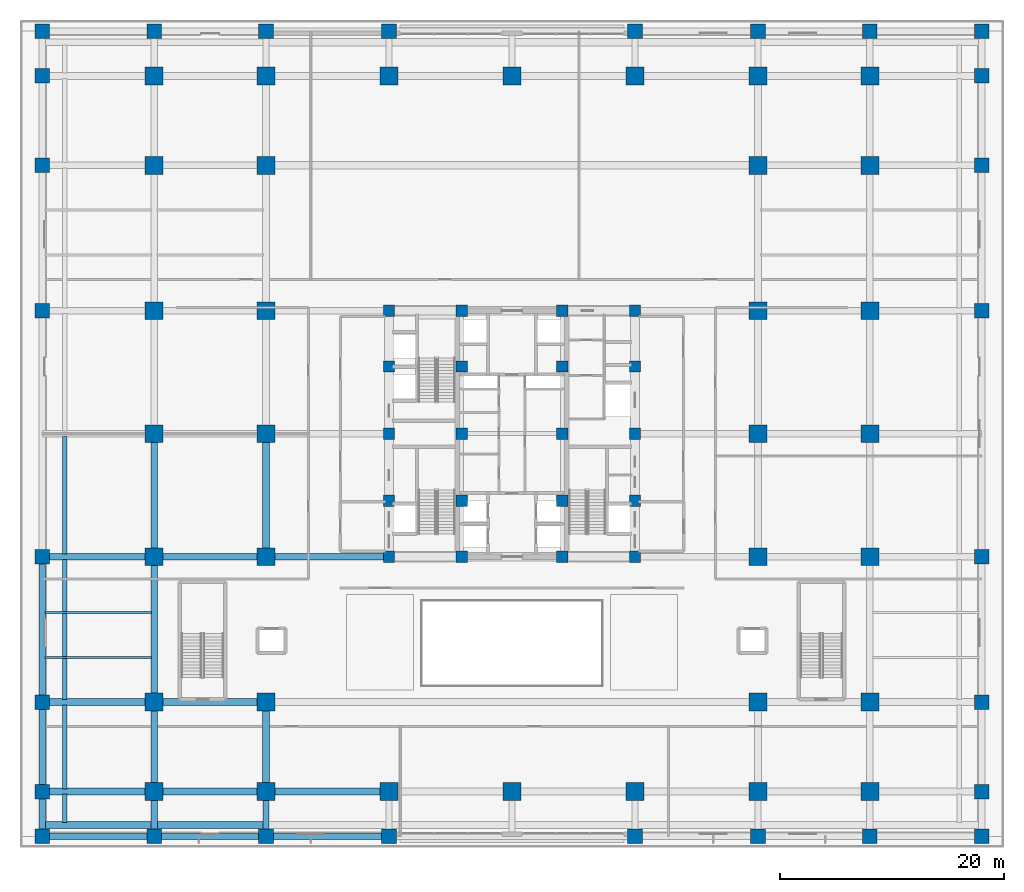
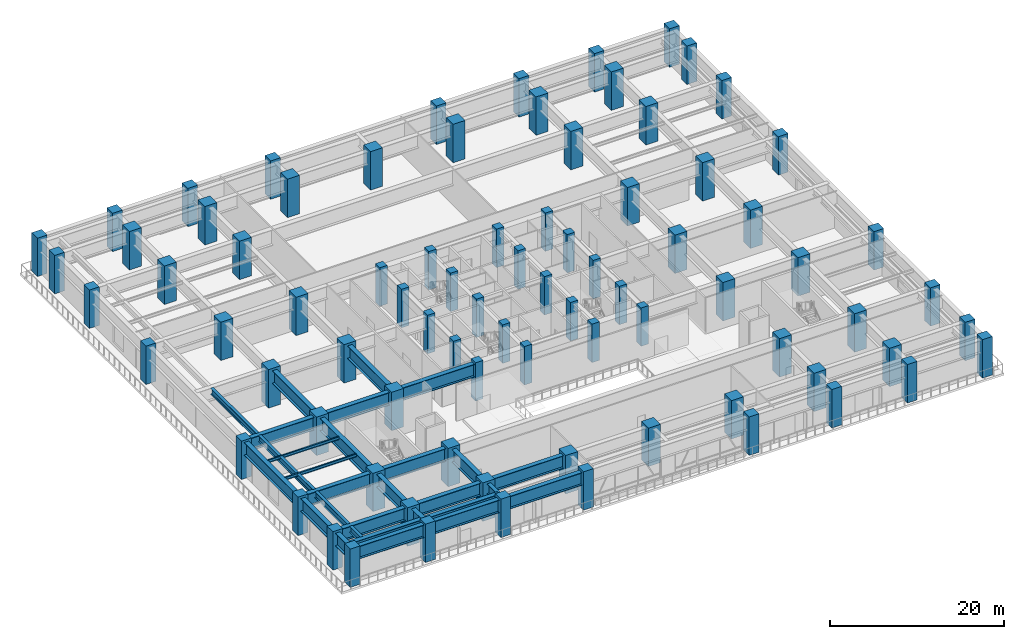
# One storey, part 1 of 28: 82 columns, 29 beams.
"""IFC4 building model written with IfcOpenShell, lengths in metres."""

from ifc_helpers import new_model, si_unit, direction, frame, origin, origin_2d, place, context, subcontext, project, spatial, rectangle, i_section, extrude, source, transform, mapped, material, material_profile, profile_set, type_object, element, save


model = new_model("IFC4")

# Units and contexts
model_context = context("Model", 3, precision=1e-05, world=origin(), true_north=direction((0.0, 1.0)))
body_context = subcontext(model_context, "Body", "Model", "MODEL_VIEW")
ifc_project = project(units=[si_unit("LENGTHUNIT", "METRE"), si_unit("AREAUNIT", "SQUARE_METRE"), si_unit("VOLUMEUNIT", "CUBIC_METRE"), si_unit("PLANEANGLEUNIT", "RADIAN"), si_unit("MASSUNIT", "GRAM", prefix="KILO")], contexts=[model_context])

# Site, building, storey
site_placement = place(None, origin())
site = spatial("IfcSite", under=ifc_project, at=site_placement, CompositionType="ELEMENT")
building_placement = place(site_placement, origin())
building = spatial("IfcBuilding", under=site, at=building_placement, Name="Khorayat Bourse Tower", CompositionType="ELEMENT")
storey_placement = place(building_placement, frame((0.0, 0.0, 12.0)))
storey = spatial("IfcBuildingStorey", under=building, at=storey_placement, Name="L02", CompositionType="ELEMENT", Elevation=12.0)

# Columns
ifc_material_1 = material(Name="Concrete C72/90", Category="concrete")
ifc_material_profile_1 = material_profile(ifc_material_1, rectangle(XDim=1.300048828125, YDim=1.300048828125, at=origin_2d()), Name="RC 1300x1300")
ifc_profile_set_1 = profile_set([ifc_material_profile_1], Name="Concrete C72/90")
column_type_1 = type_object("IfcColumnType", Name="COL-MEGA-1300", PredefinedType="COLUMN", material=ifc_profile_set_1)
shared_shape_1 = source(origin(), body_context, "Body", "SweptSolid", [
    extrude(rectangle(XDim=1.300048828125, YDim=1.300048828125, at=origin_2d()), origin(), (0.0, 0.0, 1.0), 5.39990234375),
])
for number, where, z_axis, x_axis, name in (
    (1, (-42.0, -36.0, 0.0), (0.0, 0.0, 1.0), (1.0, 0.0, 0.0), "L02 Column 001"),
    (2, (-42.0, -24.0, 0.0), (0.0, 0.0, 1.0), (1.0, 0.0, 0.0), "L02 Column 002"),
    (3, (-42.0, -11.0, 0.0), (0.0, 0.0, 1.0), (1.0, 0.0, 0.0), "L02 Column 003"),
    (4, (-42.0, 11.0, 0.0), (0.0, 0.0, 1.0), (1.0, 0.0, 0.0), "L02 Column 004"),
    (5, (-42.0, 24.0, 0.0), (0.0, 0.0, 1.0), (1.0, 0.0, 0.0), "L02 Column 005"),
    (6, (-42.0, 36.0, 0.0), (0.0, 0.0, 1.0), (1.0, 0.0, 0.0), "L02 Column 006"),
    (7, (-32.0, -36.0, 0.0), (0.0, 0.0, 1.0), (1.0, 0.0, 0.0), "L02 Column 007"),
    (8, (-32.0, 36.0, 0.0), (0.0, 0.0, 1.0), (1.0, 0.0, 0.0), "L02 Column 015"),
    (9, (-22.0, -36.0, 0.0), (0.0, 0.0, 1.0), (1.0, 0.0, 0.0), "L02 Column 016"),
    (10, (-22.0, 36.0, 0.0), (0.0, 0.0, 1.0), (1.0, 0.0, 0.0), "L02 Column 024"),
    (11, (-11.0, -36.0, 0.0), (0.0, 0.0, 1.0), (1.0, 0.0, 0.0), "L02 Column 025"),
    (12, (-11.0, 36.0, 0.0), (0.0, 0.0, 1.0), (1.0, 0.0, 0.0), "L02 Column 033"),
    (13, (11.0, -36.0, 0.0), (0.0, 0.0, 1.0), (1.0, 0.0, 0.0), "L02 Column 046"),
    (14, (11.0, 36.0, 0.0), (0.0, 0.0, 1.0), (1.0, 0.0, 0.0), "L02 Column 054"),
    (15, (22.0, -36.0, 0.0), (0.0, 0.0, 1.0), (1.0, 0.0, 0.0), "L02 Column 055"),
    (16, (22.0, 36.0, 0.0), (0.0, 0.0, 1.0), (1.0, 0.0, 0.0), "L02 Column 063"),
    (17, (32.0, -36.0, 0.0), (0.0, 0.0, 1.0), (1.0, 0.0, 0.0), "L02 Column 064"),
    (18, (32.0, 36.0, 0.0), (0.0, 0.0, 1.0), (1.0, 0.0, 0.0), "L02 Column 072"),
    (19, (42.0, -36.0, 0.0), (0.0, 0.0, 1.0), (1.0, 0.0, 0.0), "L02 Column 073"),
    (20, (42.0, -24.0, 0.0), (0.0, 0.0, 1.0), (1.0, 0.0, 0.0), "L02 Column 074"),
    (21, (42.0, -11.0, 0.0), (0.0, 0.0, 1.0), (1.0, 0.0, 0.0), "L02 Column 075"),
    (22, (42.0, 11.0, 0.0), (0.0, 0.0, 1.0), (1.0, 0.0, 0.0), "L02 Column 076"),
    (23, (42.0, 24.0, 0.0), (0.0, 0.0, 1.0), (1.0, 0.0, 0.0), "L02 Column 077"),
    (24, (42.0, 36.0, 0.0), (0.0, 0.0, 1.0), (1.0, 0.0, 0.0), "L02 Column 078"),
    (25, (-42.0, -32.0, 0.0), (0.0, 0.0, 1.0), (1.0, 0.0, 0.0), "L02 Perimeter Step Column 1"),
    (26, (-42.0, 32.0, 0.0), (0.0, 0.0, 1.0), (1.0, 0.0, 0.0), "L02 Perimeter Step Column 2"),
    (27, (42.0, -32.0, 0.0), (0.0, 0.0, 1.0), (1.0, 0.0, 0.0), "L02 Perimeter Step Column 3"),
    (28, (42.0, 32.0, 0.0), (0.0, 0.0, 1.0), (1.0, 0.0, 0.0), "L02 Perimeter Step Column 4"),
):
    element("IfcColumn", number, at=place(storey_placement, frame(where, z_axis=z_axis, x_axis=x_axis)), inside=storey, type_object=column_type_1, Name=name, PredefinedType="COLUMN", context=body_context, shape_type="MappedRepresentation", body=[
        mapped(shared_shape_1, transform((0.0, 0.0, 0.0), scale=1.0)),
    ])
ifc_material_profile_2 = material_profile(ifc_material_1, rectangle(XDim=1.60009765625, YDim=1.60009765625, at=origin_2d()), Name="RC 1600x1600")
ifc_profile_set_2 = profile_set([ifc_material_profile_2], Name="Concrete C72/90")
column_type_2 = type_object("IfcColumnType", Name="COL-MEGA-1600", PredefinedType="COLUMN", material=ifc_profile_set_2)
shared_shape_2 = source(origin(), body_context, "Body", "SweptSolid", [
    extrude(rectangle(XDim=1.60009765625, YDim=1.60009765625, at=origin_2d()), origin(), (0.0, 0.0, 1.0), 5.39990234375),
])
for number, where, z_axis, x_axis, name in (
    (29, (-32.0, -32.0, 0.0), (0.0, 0.0, 1.0), (1.0, 0.0, 0.0), "L02 Column 008"),
    (30, (-32.0, -24.0, 0.0), (0.0, 0.0, 1.0), (1.0, 0.0, 0.0), "L02 Column 009"),
    (31, (-32.0, -11.0, 0.0), (0.0, 0.0, 1.0), (1.0, 0.0, 0.0), "L02 Column 010"),
    (32, (-32.0, 0.0, 0.0), (0.0, 0.0, 1.0), (1.0, 0.0, 0.0), "L02 Column 011"),
    (33, (-32.0, 11.0, 0.0), (0.0, 0.0, 1.0), (1.0, 0.0, 0.0), "L02 Column 012"),
    (34, (-32.0, 24.0, 0.0), (0.0, 0.0, 1.0), (1.0, 0.0, 0.0), "L02 Column 013"),
    (35, (-32.0, 32.0, 0.0), (0.0, 0.0, 1.0), (1.0, 0.0, 0.0), "L02 Column 014"),
    (36, (-22.0, -32.0, 0.0), (0.0, 0.0, 1.0), (1.0, 0.0, 0.0), "L02 Column 017"),
    (37, (-22.0, -24.0, 0.0), (0.0, 0.0, 1.0), (1.0, 0.0, 0.0), "L02 Column 018"),
    (38, (-22.0, -11.0, 0.0), (0.0, 0.0, 1.0), (1.0, 0.0, 0.0), "L02 Column 019"),
    (39, (-22.0, 0.0, 0.0), (0.0, 0.0, 1.0), (1.0, 0.0, 0.0), "L02 Column 020"),
    (40, (-22.0, 11.0, 0.0), (0.0, 0.0, 1.0), (1.0, 0.0, 0.0), "L02 Column 021"),
    (41, (-22.0, 24.0, 0.0), (0.0, 0.0, 1.0), (1.0, 0.0, 0.0), "L02 Column 022"),
    (42, (-22.0, 32.0, 0.0), (0.0, 0.0, 1.0), (1.0, 0.0, 0.0), "L02 Column 023"),
    (43, (-11.0, -32.0, 0.0), (0.0, 0.0, 1.0), (1.0, 0.0, 0.0), "L02 Column 026"),
    (44, (-11.0, 32.0, 0.0), (0.0, 0.0, 1.0), (1.0, 0.0, 0.0), "L02 Column 032"),
    (45, (0.0, -32.0, 0.0), (0.0, 0.0, 1.0), (1.0, 0.0, 0.0), "L02 Column 039"),
    (46, (0.0, 32.0, 0.0), (0.0, 0.0, 1.0), (1.0, 0.0, 0.0), "L02 Column 040"),
    (47, (11.0, -32.0, 0.0), (0.0, 0.0, 1.0), (1.0, 0.0, 0.0), "L02 Column 047"),
    (48, (11.0, 32.0, 0.0), (0.0, 0.0, 1.0), (1.0, 0.0, 0.0), "L02 Column 053"),
    (49, (22.0, -32.0, 0.0), (0.0, 0.0, 1.0), (1.0, 0.0, 0.0), "L02 Column 056"),
    (50, (22.0, -24.0, 0.0), (0.0, 0.0, 1.0), (1.0, 0.0, 0.0), "L02 Column 057"),
    (51, (22.0, -11.0, 0.0), (0.0, 0.0, 1.0), (1.0, 0.0, 0.0), "L02 Column 058"),
    (52, (22.0, 0.0, 0.0), (0.0, 0.0, 1.0), (1.0, 0.0, 0.0), "L02 Column 059"),
    (53, (22.0, 11.0, 0.0), (0.0, 0.0, 1.0), (1.0, 0.0, 0.0), "L02 Column 060"),
    (54, (22.0, 24.0, 0.0), (0.0, 0.0, 1.0), (1.0, 0.0, 0.0), "L02 Column 061"),
    (55, (22.0, 32.0, 0.0), (0.0, 0.0, 1.0), (1.0, 0.0, 0.0), "L02 Column 062"),
    (56, (32.0, -32.0, 0.0), (0.0, 0.0, 1.0), (1.0, 0.0, 0.0), "L02 Column 065"),
    (57, (32.0, -24.0, 0.0), (0.0, 0.0, 1.0), (1.0, 0.0, 0.0), "L02 Column 066"),
    (58, (32.0, -11.0, 0.0), (0.0, 0.0, 1.0), (1.0, 0.0, 0.0), "L02 Column 067"),
    (59, (32.0, 0.0, 0.0), (0.0, 0.0, 1.0), (1.0, 0.0, 0.0), "L02 Column 068"),
    (60, (32.0, 11.0, 0.0), (0.0, 0.0, 1.0), (1.0, 0.0, 0.0), "L02 Column 069"),
    (61, (32.0, 24.0, 0.0), (0.0, 0.0, 1.0), (1.0, 0.0, 0.0), "L02 Column 070"),
    (62, (32.0, 32.0, 0.0), (0.0, 0.0, 1.0), (1.0, 0.0, 0.0), "L02 Column 071"),
):
    element("IfcColumn", number, at=place(storey_placement, frame(where, z_axis=z_axis, x_axis=x_axis)), inside=storey, type_object=column_type_2, Name=name, PredefinedType="COLUMN", context=body_context, shape_type="MappedRepresentation", body=[
        mapped(shared_shape_2, transform((0.0, 0.0, 0.0), scale=1.0)),
    ])
ifc_material_profile_3 = material_profile(ifc_material_1, rectangle(XDim=1.0, YDim=1.0, at=origin_2d()), Name="RC 1000x1000")
ifc_profile_set_3 = profile_set([ifc_material_profile_3], Name="Concrete C72/90")
column_type_3 = type_object("IfcColumnType", Name="COL-CORE-1000", PredefinedType="COLUMN", material=ifc_profile_set_3)
shared_shape_3 = source(origin(), body_context, "Body", "SweptSolid", [
    extrude(rectangle(XDim=1.0, YDim=1.0, at=origin_2d()), origin(), (0.0, 0.0, 1.0), 5.39990234375),
])
for number, where, z_axis, x_axis, name in (
    (63, (-11.0, -11.0, 0.0), (0.0, 0.0, 1.0), (1.0, 0.0, 0.0), "L02 Column 027"),
    (64, (-11.0, -6.0, 0.0), (0.0, 0.0, 1.0), (1.0, 0.0, 0.0), "L02 Column 028"),
    (65, (-11.0, 0.0, 0.0), (0.0, 0.0, 1.0), (1.0, 0.0, 0.0), "L02 Column 029"),
    (66, (-11.0, 6.0, 0.0), (0.0, 0.0, 1.0), (1.0, 0.0, 0.0), "L02 Column 030"),
    (67, (-11.0, 11.0, 0.0), (0.0, 0.0, 1.0), (1.0, 0.0, 0.0), "L02 Column 031"),
    (68, (-4.5, -11.0, 0.0), (0.0, 0.0, 1.0), (1.0, 0.0, 0.0), "L02 Column 034"),
    (69, (-4.5, -6.0, 0.0), (0.0, 0.0, 1.0), (1.0, 0.0, 0.0), "L02 Column 035"),
    (70, (-4.5, 0.0, 0.0), (0.0, 0.0, 1.0), (1.0, 0.0, 0.0), "L02 Column 036"),
    (71, (-4.5, 6.0, 0.0), (0.0, 0.0, 1.0), (1.0, 0.0, 0.0), "L02 Column 037"),
    (72, (-4.5, 11.0, 0.0), (0.0, 0.0, 1.0), (1.0, 0.0, 0.0), "L02 Column 038"),
    (73, (4.5, -11.0, 0.0), (0.0, 0.0, 1.0), (1.0, 0.0, 0.0), "L02 Column 041"),
    (74, (4.5, -6.0, 0.0), (0.0, 0.0, 1.0), (1.0, 0.0, 0.0), "L02 Column 042"),
    (75, (4.5, 0.0, 0.0), (0.0, 0.0, 1.0), (1.0, 0.0, 0.0), "L02 Column 043"),
    (76, (4.5, 6.0, 0.0), (0.0, 0.0, 1.0), (1.0, 0.0, 0.0), "L02 Column 044"),
    (77, (4.5, 11.0, 0.0), (0.0, 0.0, 1.0), (1.0, 0.0, 0.0), "L02 Column 045"),
    (78, (11.0, -11.0, 0.0), (0.0, 0.0, 1.0), (1.0, 0.0, 0.0), "L02 Column 048"),
    (79, (11.0, -6.0, 0.0), (0.0, 0.0, 1.0), (1.0, 0.0, 0.0), "L02 Column 049"),
    (80, (11.0, 0.0, 0.0), (0.0, 0.0, 1.0), (1.0, 0.0, 0.0), "L02 Column 050"),
    (81, (11.0, 6.0, 0.0), (0.0, 0.0, 1.0), (1.0, 0.0, 0.0), "L02 Column 051"),
    (82, (11.0, 11.0, 0.0), (0.0, 0.0, 1.0), (1.0, 0.0, 0.0), "L02 Column 052"),
):
    element("IfcColumn", number, at=place(storey_placement, frame(where, z_axis=z_axis, x_axis=x_axis)), inside=storey, type_object=column_type_3, Name=name, PredefinedType="COLUMN", context=body_context, shape_type="MappedRepresentation", body=[
        mapped(shared_shape_3, transform((0.0, 0.0, 0.0), scale=1.0)),
    ])

# Beams
ifc_material_2 = material(Name="Steel EN 10025-4 S460M", Category="steel")
ifc_material_profile_4 = material_profile(ifc_material_2, i_section(OverallWidth=0.60009765625, OverallDepth=1.800048828125, WebThickness=0.031982421875, FlangeThickness=0.06005859375, at=origin_2d()), Name="PG 1800x600x32x60")
ifc_profile_set_4 = profile_set([ifc_material_profile_4], Name="Steel EN 10025-4 S460M")
beam_type_1 = type_object("IfcBeamType", Name="BM-TR-1800", PredefinedType="BEAM", material=ifc_profile_set_4)
shared_shape_4 = source(origin(), body_context, "Body", "SweptSolid", [
    extrude(i_section(OverallWidth=0.60009765625, OverallDepth=1.800048828125, WebThickness=0.031982421875, FlangeThickness=0.06005859375, at=origin_2d()), origin(), (0.0, 0.0, 1.0), 10.0),
])
for number, where, z_axis, x_axis, name in (
    (83, (-42.0, -36.0, 4.179931640625), (1.0, 0.0, 0.0), (0.0, 1.0, 0.0), "L02 BM-TR-1800 BM-L02-PGX-024"),
    (84, (-32.0, -36.0, 4.179931640625), (1.0, 0.0, 0.0), (0.0, 1.0, 0.0), "L02 BM-TR-1800 BM-L02-PGX-025"),
    (85, (-42.0, -35.0, 4.179931640625), (1.0, 0.0, 0.0), (0.0, 1.0, 0.0), "L02 BM-TR-1800 BM-L02-PGX-031"),
    (86, (-32.0, -35.0, 4.179931640625), (1.0, 0.0, 0.0), (0.0, 1.0, 0.0), "L02 BM-TR-1800 BM-L02-PGX-032"),
    (87, (-42.0, -32.0, 4.179931640625), (1.0, 0.0, 0.0), (0.0, 1.0, 0.0), "L02 BM-TR-1800 BM-L02-PGX-036"),
    (88, (-32.0, -32.0, 4.179931640625), (1.0, 0.0, 0.0), (0.0, 1.0, 0.0), "L02 BM-TR-1800 BM-L02-PGX-037"),
    (89, (-42.0, -24.0, 4.179931640625), (1.0, 0.0, 0.0), (0.0, 1.0, 0.0), "L02 BM-TR-1800 BM-L02-PGX-044"),
    (90, (-32.0, -24.0, 4.179931640625), (1.0, 0.0, 0.0), (0.0, 1.0, 0.0), "L02 BM-TR-1800 BM-L02-PGX-045"),
    (91, (-42.0, -11.0, 4.179931640625), (1.0, 0.0, 0.0), (0.0, 1.0, 0.0), "L02 BM-TR-1800 BM-L02-PGX-049"),
    (92, (-32.0, -11.0, 4.179931640625), (1.0, 0.0, 0.0), (0.0, 1.0, 0.0), "L02 BM-TR-1800 BM-L02-PGX-050"),
):
    element("IfcBeam", number, at=place(storey_placement, frame(where, z_axis=z_axis, x_axis=x_axis)), inside=storey, type_object=beam_type_1, Name=name, PredefinedType="BEAM", context=body_context, shape_type="MappedRepresentation", body=[
        mapped(shared_shape_4, transform((0.0, 0.0, 0.0), scale=1.0)),
    ])
shared_shape_5 = source(origin(), body_context, "Body", "SweptSolid", [
    extrude(i_section(OverallWidth=0.60009765625, OverallDepth=1.800048828125, WebThickness=0.031982421875, FlangeThickness=0.06005859375, at=origin_2d()), origin(), (0.0, 0.0, 1.0), 11.0),
])
for number, where, z_axis, x_axis, name in (
    (93, (-22.0, -36.0, 4.179931640625), (1.0, 0.0, 0.0), (0.0, 1.0, 0.0), "L02 BM-TR-1800 BM-L02-PGX-026"),
    (94, (-22.0, -32.0, 4.179931640625), (1.0, 0.0, 0.0), (0.0, 1.0, 0.0), "L02 BM-TR-1800 BM-L02-PGX-038"),
    (95, (-22.0, -11.0, 4.179931640625), (1.0, 0.0, 0.0), (0.0, 1.0, 0.0), "L02 BM-TR-1800 BM-L02-PGX-051"),
    (96, (-32.0, -11.0, 4.179931640625), (0.0, 1.0, 0.0), (-1.0, 0.0, 0.0), "L02 BM-TR-1800 BM-L02-PGY-116"),
    (97, (-22.0, -11.0, 4.179931640625), (0.0, 1.0, 0.0), (-1.0, 0.0, 0.0), "L02 BM-TR-1800 BM-L02-PGY-123"),
):
    element("IfcBeam", number, at=place(storey_placement, frame(where, z_axis=z_axis, x_axis=x_axis)), inside=storey, type_object=beam_type_1, Name=name, PredefinedType="BEAM", context=body_context, shape_type="MappedRepresentation", body=[
        mapped(shared_shape_5, transform((0.0, 0.0, 0.0), scale=1.0)),
    ])
shared_shape_6 = source(origin(), body_context, "Body", "SweptSolid", [
    extrude(i_section(OverallWidth=0.60009765625, OverallDepth=1.800048828125, WebThickness=0.031982421875, FlangeThickness=0.06005859375, at=origin_2d()), origin(), (0.0, 0.0, 1.0), 8.0),
])
for number, where, z_axis, x_axis, name in (
    (98, (-42.0, -32.0, 4.179931640625), (0.0, 1.0, 0.0), (-1.0, 0.0, 0.0), "L02 BM-TR-1800 BM-L02-PGY-099"),
    (99, (-32.0, -32.0, 4.179931640625), (0.0, 1.0, 0.0), (-1.0, 0.0, 0.0), "L02 BM-TR-1800 BM-L02-PGY-114"),
    (100, (-22.0, -32.0, 4.179931640625), (0.0, 1.0, 0.0), (-1.0, 0.0, 0.0), "L02 BM-TR-1800 BM-L02-PGY-122"),
):
    element("IfcBeam", number, at=place(storey_placement, frame(where, z_axis=z_axis, x_axis=x_axis)), inside=storey, type_object=beam_type_1, Name=name, PredefinedType="BEAM", context=body_context, shape_type="MappedRepresentation", body=[
        mapped(shared_shape_6, transform((0.0, 0.0, 0.0), scale=1.0)),
    ])
shared_shape_7 = source(origin(), body_context, "Body", "SweptSolid", [
    extrude(i_section(OverallWidth=0.60009765625, OverallDepth=1.800048828125, WebThickness=0.031982421875, FlangeThickness=0.06005859375, at=origin_2d()), origin(), (0.0, 0.0, 1.0), 13.0),
])
for number, where, z_axis, x_axis, name in (
    (101, (-42.0, -24.0, 4.179931640625), (0.0, 1.0, 0.0), (-1.0, 0.0, 0.0), "L02 BM-TR-1800 BM-L02-PGY-100"),
    (102, (-32.0, -24.0, 4.179931640625), (0.0, 1.0, 0.0), (-1.0, 0.0, 0.0), "L02 BM-TR-1800 BM-L02-PGY-115"),
):
    element("IfcBeam", number, at=place(storey_placement, frame(where, z_axis=z_axis, x_axis=x_axis)), inside=storey, type_object=beam_type_1, Name=name, PredefinedType="BEAM", context=body_context, shape_type="MappedRepresentation", body=[
        mapped(shared_shape_7, transform((0.0, 0.0, 0.0), scale=1.0)),
    ])
ifc_material_3 = material(Name="Steel ASTM A992 Grade 50", Category="steel")
ifc_material_profile_5 = material_profile(ifc_material_3, i_section(OverallWidth=0.39990234375, OverallDepth=0.85498046875, WebThickness=0.018310546875, FlangeThickness=0.029296875, FilletRadius=0.02001953125, at=origin_2d()), Name="W840X299")
ifc_profile_set_5 = profile_set([ifc_material_profile_5], Name="Steel ASTM A992 Grade 50")
beam_type_2 = type_object("IfcBeamType", Name="BM-GIRD-840", PredefinedType="BEAM", material=ifc_profile_set_5)
shared_shape_8 = source(origin(), body_context, "Body", "SweptSolid", [
    extrude(i_section(OverallWidth=0.39990234375, OverallDepth=0.85498046875, WebThickness=0.018310546875, FlangeThickness=0.029296875, FilletRadius=0.02001953125, at=origin_2d()), origin(), (0.0, 0.0, 1.0), 7.52001953125),
])
beam_1_placement = place(storey_placement, frame((-40.0, -31.760009765625, 4.652587890625), z_axis=(0.0, 1.0, 0.0), x_axis=(-1.0, 0.0, 0.0)))
element("IfcBeam", 103, at=beam_1_placement, inside=storey, type_object=beam_type_2, Name="L02 BM-GIRD-840 BM-L02-PGY-106", PredefinedType="BEAM", context=body_context, shape_type="MappedRepresentation", body=[
    mapped(shared_shape_8, transform((0.0, 0.0, 0.0), scale=1.0)),
])
shared_shape_9 = source(origin(), body_context, "Body", "SweptSolid", [
    extrude(i_section(OverallWidth=0.39990234375, OverallDepth=0.85498046875, WebThickness=0.018310546875, FlangeThickness=0.029296875, FilletRadius=0.02001953125, at=origin_2d()), origin(), (0.0, 0.0, 1.0), 12.52001953125),
])
beam_2_placement = place(storey_placement, frame((-40.0, -23.760009765625, 4.652587890625), z_axis=(0.0, 1.0, 0.0), x_axis=(-1.0, 0.0, 0.0)))
element("IfcBeam", 104, at=beam_2_placement, inside=storey, type_object=beam_type_2, Name="L02 BM-GIRD-840 BM-L02-PGY-107", PredefinedType="BEAM", context=body_context, shape_type="MappedRepresentation", body=[
    mapped(shared_shape_9, transform((0.0, 0.0, 0.0), scale=1.0)),
])
shared_shape_10 = source(origin(), body_context, "Body", "SweptSolid", [
    extrude(i_section(OverallWidth=0.39990234375, OverallDepth=0.85498046875, WebThickness=0.018310546875, FlangeThickness=0.029296875, FilletRadius=0.02001953125, at=origin_2d()), origin(), (0.0, 0.0, 1.0), 10.52001953125),
])
beam_3_placement = place(storey_placement, frame((-40.0, -10.760009765625, 4.652587890625), z_axis=(0.0, 1.0, 0.0), x_axis=(-1.0, 0.0, 0.0)))
element("IfcBeam", 105, at=beam_3_placement, inside=storey, type_object=beam_type_2, Name="L02 BM-GIRD-840 BM-L02-PGY-108", PredefinedType="BEAM", context=body_context, shape_type="MappedRepresentation", body=[
    mapped(shared_shape_10, transform((0.0, 0.0, 0.0), scale=1.0)),
])
ifc_material_profile_6 = material_profile(ifc_material_3, i_section(OverallWidth=0.180908203125, OverallDepth=0.4169921875, WebThickness=0.010986328125, FlangeThickness=0.018310546875, FilletRadius=0.011962890625, at=origin_2d()), Name="W410X85")
ifc_profile_set_6 = profile_set([ifc_material_profile_6], Name="Steel ASTM A992 Grade 50")
beam_type_3 = type_object("IfcBeamType", Name="BM-JOIST-410", PredefinedType="JOIST", material=ifc_profile_set_6)
shared_shape_11 = source(origin(), body_context, "Body", "SweptSolid", [
    extrude(i_section(OverallWidth=0.180908203125, OverallDepth=0.4169921875, WebThickness=0.010986328125, FlangeThickness=0.018310546875, FilletRadius=0.011962890625, at=origin_2d()), origin(), (0.0, 0.0, 1.0), 9.52001953125),
])
for number, where, z_axis, x_axis, name in (
    (106, (-41.760009765625, -20.0, 4.87158203125), (1.0, 0.0, 0.0), (0.0, 1.0, 0.0), "L02 BM-JOIST-410 BM-L02-PJ-167"),
    (107, (-41.760009765625, -16.0, 4.87158203125), (1.0, 0.0, 0.0), (0.0, 1.0, 0.0), "L02 BM-JOIST-410 BM-L02-PJ-169"),
):
    element("IfcBeam", number, at=place(storey_placement, frame(where, z_axis=z_axis, x_axis=x_axis)), inside=storey, type_object=beam_type_3, Name=name, PredefinedType="JOIST", context=body_context, shape_type="MappedRepresentation", body=[
        mapped(shared_shape_11, transform((0.0, 0.0, 0.0), scale=1.0)),
    ])
shared_shape_12 = source(origin(), body_context, "Body", "SweptSolid", [
    extrude(i_section(OverallWidth=0.60009765625, OverallDepth=1.800048828125, WebThickness=0.031982421875, FlangeThickness=0.06005859375, at=origin_2d()), origin(), (0.0, 0.0, 1.0), 4.0),
])
for number, where, z_axis, x_axis, name in (
    (108, (-42.0, -36.0, 4.179931640625), (0.0, 1.0, 0.0), (-1.0, 0.0, 0.0), "L02 BM-TR-1800 BM-L02-PGY-098"),
    (109, (-32.0, -36.0, 4.179931640625), (0.0, 1.0, 0.0), (-1.0, 0.0, 0.0), "L02 BM-TR-1800 BM-L02-PGY-113"),
):
    element("IfcBeam", number, at=place(storey_placement, frame(where, z_axis=z_axis, x_axis=x_axis)), inside=storey, type_object=beam_type_1, Name=name, PredefinedType="BEAM", context=body_context, shape_type="MappedRepresentation", body=[
        mapped(shared_shape_12, transform((0.0, 0.0, 0.0), scale=1.0)),
    ])
shared_shape_13 = source(origin(), body_context, "Body", "SweptSolid", [
    extrude(i_section(OverallWidth=0.39990234375, OverallDepth=0.85498046875, WebThickness=0.018310546875, FlangeThickness=0.029296875, FilletRadius=0.02001953125, at=origin_2d()), origin(), (0.0, 0.0, 1.0), 2.52001953125),
])
beam_4_placement = place(storey_placement, frame((-40.0, -34.760009765625, 4.652587890625), z_axis=(0.0, 1.0, 0.0), x_axis=(-1.0, 0.0, 0.0)))
element("IfcBeam", 110, at=beam_4_placement, inside=storey, type_object=beam_type_2, Name="L02 BM-GIRD-840 BM-L02-PGY-105", PredefinedType="BEAM", context=body_context, shape_type="MappedRepresentation", body=[
    mapped(shared_shape_13, transform((0.0, 0.0, 0.0), scale=1.0)),
])
ifc_material_profile_7 = material_profile(ifc_material_2, i_section(OverallWidth=0.5, OverallDepth=1.39990234375, WebThickness=0.02490234375, FlangeThickness=0.050048828125, at=origin_2d()), Name="PG 1400x500x25x50")
ifc_profile_set_7 = profile_set([ifc_material_profile_7], Name="Steel EN 10025-4 S460M")
beam_type_4 = type_object("IfcBeamType", Name="BM-TR-1400", PredefinedType="BEAM", material=ifc_profile_set_7)
shared_shape_14 = source(origin(), body_context, "Body", "SweptSolid", [
    extrude(i_section(OverallWidth=0.5, OverallDepth=1.39990234375, WebThickness=0.02490234375, FlangeThickness=0.050048828125, at=origin_2d()), origin(), (0.0, 0.0, 1.0), 4.0),
])
beam_5_placement = place(storey_placement, frame((-22.0, -36.0, 4.3798828125), z_axis=(0.0, 1.0, 0.0), x_axis=(-1.0, 0.0, 0.0)))
element("IfcBeam", 111, at=beam_5_placement, inside=storey, type_object=beam_type_4, Name="L02 BM-TR-1400 BM-L02-PGY-121", PredefinedType="BEAM", context=body_context, shape_type="MappedRepresentation", body=[
    mapped(shared_shape_14, transform((0.0, 0.0, 0.0), scale=1.0)),
])

save(model, "model.ifc")
